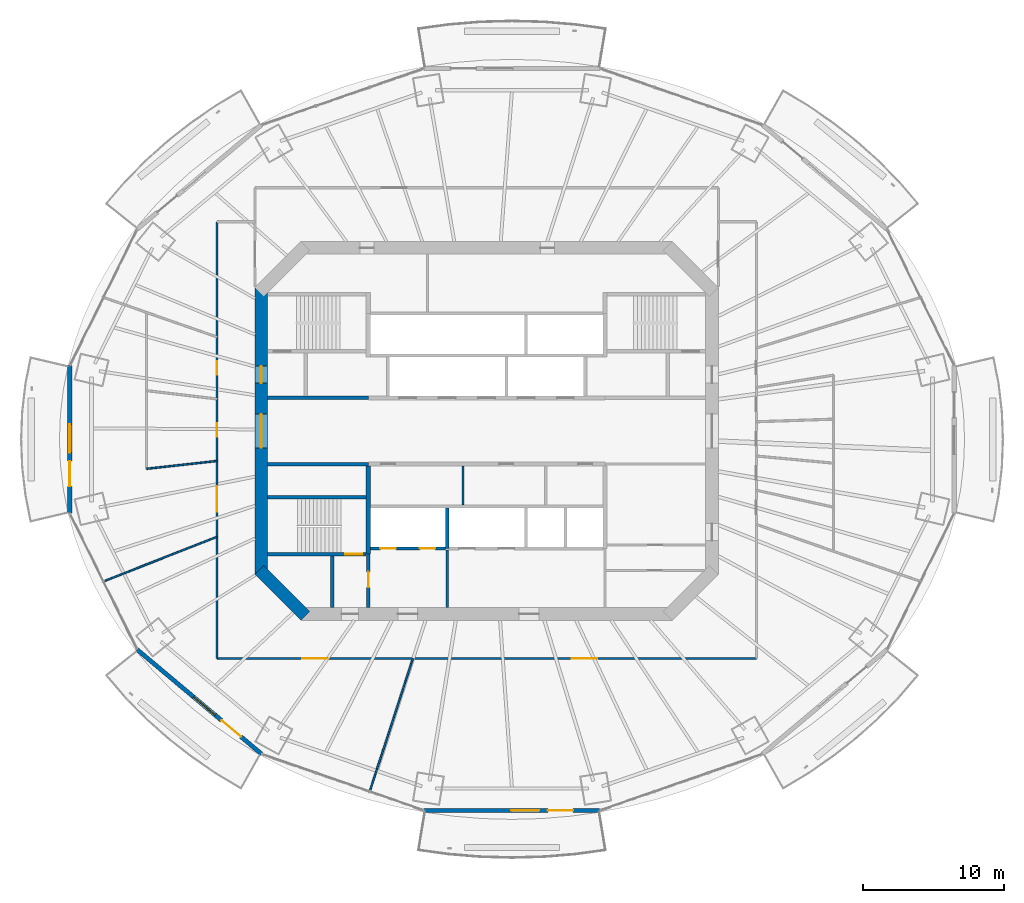
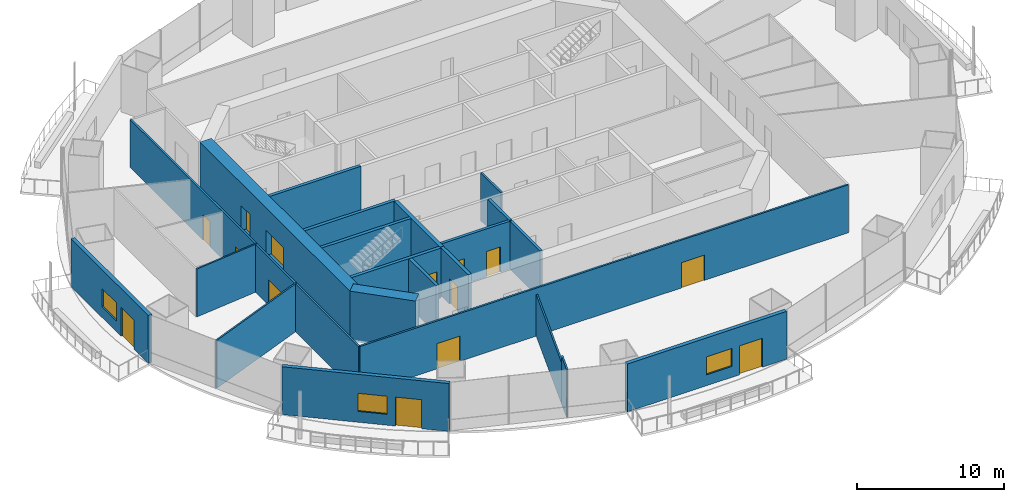
# One storey, part 11 of 20: 22 walls, 14 doors, 3 windows, 17 openings.
"""IFC4 building model written with IfcOpenShell, lengths in metres."""

from ifc_helpers import new_model, si_unit, direction, frame, frame_2d, origin, place, context, subcontext, project, spatial, rectangle, extrude, material, layer, layer_set, type_object, element, fill, save


model = new_model("IFC4")

# Units and contexts
model_context = context("Model", 3, precision=1e-05, world=origin(), true_north=direction((0.0, 1.0)))
body_context = subcontext(model_context, "Body", "Model", "MODEL_VIEW")
ifc_project = project(units=[si_unit("LENGTHUNIT", "METRE"), si_unit("AREAUNIT", "SQUARE_METRE"), si_unit("VOLUMEUNIT", "CUBIC_METRE"), si_unit("PLANEANGLEUNIT", "RADIAN"), si_unit("MASSUNIT", "GRAM", prefix="KILO")], contexts=[model_context])

# Site, building, storey
site_placement = place(None, origin())
site = spatial("IfcSite", under=ifc_project, at=site_placement, CompositionType="ELEMENT")
building_placement = place(site_placement, origin())
building = spatial("IfcBuilding", under=site, at=building_placement, Name="Marenthal Gate Tower", CompositionType="ELEMENT")
storey_placement = place(building_placement, frame((0.0, 0.0, 190.10009765625)))
storey = spatial("IfcBuildingStorey", under=building, at=storey_placement, Name="L41", CompositionType="ELEMENT", Elevation=190.10009765625)

# Wall, openings, doors
ifc_material_1 = material(Name="Concrete 60 MPa", Category="concrete")
ifc_layer_1 = layer(ifc_material_1, 0.89990234375)
ifc_layer_set_1 = layer_set([ifc_layer_1], Name="Core shear wall 900")
wall_type_1 = type_object("IfcWallType", Name="Core shear wall 900", PredefinedType="SHEAR", material=ifc_layer_set_1)
wall_1_placement = place(storey_placement, frame((-16.0, 10.186279296875, -0.18017578125), z_axis=(0.0, 0.0, 1.0), x_axis=(0.0, -1.0, 0.0)))
wall_1 = element("IfcWall", 1, at=wall_1_placement, inside=storey, type_object=wall_type_1, Name="Core wall 06", PredefinedType="SHEAR", context=body_context, shape_type="SweptSolid", body=[
    extrude(rectangle(XDim=20.37255859375, YDim=0.89990234375, at=frame_2d((10.186279296875, 0.0))), origin(), (0.0, 0.0, 1.0), 4.150146484375),
])
opening_1_placement = place(wall_1_placement, frame((8.986328125, 0.0, 0.179931640625)))
opening_1 = element("IfcOpeningElement", 2, at=opening_1_placement, cuts=wall_1, Name="Opening D003.01", PredefinedType="OPENING", context=body_context, shape_type="SweptSolid", body=[
    extrude(rectangle(XDim=2.39990234375, YDim=2.10009765625, at=frame_2d((1.199951171875, 1.050048828125))), frame((0.0, 0.4599609375, 0.0), z_axis=(0.0, -1.0, 0.0), x_axis=(1.0, 0.0, 0.0)), (0.0, 0.0, 1.0), 0.919921875),
])
opening_2_placement = place(wall_1_placement, frame((5.58642578125, 0.0, 0.179931640625)))
opening_2 = element("IfcOpeningElement", 3, at=opening_2_placement, cuts=wall_1, Name="Opening D001.04", PredefinedType="OPENING", context=body_context, shape_type="SweptSolid", body=[
    extrude(rectangle(XDim=1.199951171875, YDim=2.10009765625, at=frame_2d((0.60009765625, 1.050048828125))), frame((0.0, 0.4599609375, 0.0), z_axis=(0.0, -1.0, 0.0), x_axis=(1.0, 0.0, 0.0)), (0.0, 0.0, 1.0), 0.919921875),
])
ifc_material_2 = material(Name="Steel fire door", Category="steel")
door_type_1 = type_object("IfcDoorType", Name="Double fire door FD 45 2400 x 2100", OperationType="DOUBLE_DOOR_SINGLE_SWING", PredefinedType="DOOR", material=ifc_material_2)
door_1_placement = place(opening_1_placement, origin())
door_1 = element("IfcDoor", 4, at=door_1_placement, inside=storey, type_object=door_type_1, Name="Door D003.01", OperationType="DOUBLE_DOOR_SINGLE_SWING", OverallHeight=2.10009765625, OverallWidth=2.39990234375, PredefinedType="DOOR", context=body_context, shape_type="SweptSolid", body=[
    extrude(rectangle(XDim=2.39990234375, YDim=2.10009765625, at=frame_2d((1.199951171875, 1.050048828125))), frame((0.0, 0.02490234375, 0.0), z_axis=(0.0, -1.0, 0.0), x_axis=(1.0, 0.0, 0.0)), (0.0, 0.0, 1.0), 0.050048828125),
])
fill(opening_1, door_1)
ifc_material_3 = material(Name="Steel fire door", Category="steel")
door_type_2 = type_object("IfcDoorType", Name="Fire door FD 90 1200 x 2100", OperationType="NOTDEFINED", PredefinedType="DOOR", material=ifc_material_3)
door_2_placement = place(opening_2_placement, origin())
door_2 = element("IfcDoor", 5, at=door_2_placement, inside=storey, type_object=door_type_2, Name="Door D001.04", OperationType="SINGLE_SWING_RIGHT", OverallHeight=2.10009765625, OverallWidth=1.199951171875, PredefinedType="DOOR", context=body_context, shape_type="SweptSolid", body=[
    extrude(rectangle(XDim=1.199951171875, YDim=2.10009765625, at=frame_2d((0.60009765625, 1.050048828125))), frame((0.0, 0.02490234375, 0.0), z_axis=(0.0, -1.0, 0.0), x_axis=(1.0, 0.0, 0.0)), (0.0, 0.0, 1.0), 0.050048828125),
])
fill(opening_2, door_2)

# Walls
wall_2_placement = place(storey_placement, frame((-16.1318359375, -9.8681640625, -0.18017578125), z_axis=(0.0, 0.0, 1.0), x_axis=(0.707106781187, -0.707106781187, 0.0)))
element("IfcWall", 6, at=wall_2_placement, inside=storey, type_object=wall_type_1, Name="Core wall 07", PredefinedType="SHEAR", context=body_context, shape_type="SweptSolid", body=[
    extrude(rectangle(XDim=4.615478515625, YDim=0.89990234375, at=frame_2d((2.3076171875, 0.0))), origin(), (0.0, 0.0, 1.0), 4.150146484375),
])
ifc_material_4 = material(Name="Gypsum board on steel studs", Category="steel")
ifc_layer_2 = layer(ifc_material_4, 0.199951171875)
ifc_layer_set_2 = layer_set([ifc_layer_2], Name="Fire lobby wall 200")
wall_type_2 = type_object("IfcWallType", Name="Fire lobby wall 200", PredefinedType="PARTITIONING", material=ifc_layer_set_2)
wall_3_placement = place(storey_placement, frame((-2.800048828125, -12.550048828125, 0.0), z_axis=(0.0, 0.0, 1.0), x_axis=(0.0, 1.0, 0.0)))
element("IfcWall", 7, at=wall_3_placement, inside=storey, type_object=wall_type_2, Name="Fire wall 36", PredefinedType="PARTITIONING", context=body_context, shape_type="SweptSolid", body=[
    extrude(rectangle(XDim=4.090087890625, YDim=0.199951171875, at=frame_2d((2.044921875, 0.0))), origin(), (0.0, 0.0, 1.0), 3.969970703125),
])
ifc_material_5 = material(Name="Concrete 50 MPa", Category="concrete")
ifc_layer_3 = layer(ifc_material_5, 0.300048828125)
ifc_layer_set_3 = layer_set([ifc_layer_3], Name="Hoistway shear wall 300")
wall_type_3 = type_object("IfcWallType", Name="Hoistway shear wall 300", PredefinedType="SHEAR", material=ifc_layer_set_3)
wall_4_placement = place(storey_placement, frame((-8.39990234375, -8.75, -0.18017578125), z_axis=(0.0, 0.0, 1.0), x_axis=(0.0, 1.0, 0.0)))
element("IfcWall", 8, at=wall_4_placement, inside=storey, type_object=wall_type_3, Name="Hoistway wall 31", PredefinedType="SHEAR", context=body_context, shape_type="SweptSolid", body=[
    extrude(rectangle(XDim=6.25, YDim=0.300048828125, at=frame_2d((3.125, 0.0))), origin(), (0.0, 0.0, 1.0), 4.150146484375),
])

# Wall, openings, doors
ifc_material_6 = material(Name="Concrete 40 MPa", Category="concrete")
ifc_layer_4 = layer(ifc_material_6, 0.219970703125)
ifc_layer_set_4 = layer_set([ifc_layer_4], Name="Hoistway wall 220")
wall_type_4 = type_object("IfcWallType", Name="Hoistway wall 220", PredefinedType="STANDARD", material=ifc_layer_set_4)
wall_5_placement = place(storey_placement, frame((-8.25, -8.35009765625, 0.0), z_axis=(0.0, 0.0, 1.0), x_axis=(1.0, 0.0, 0.0)))
wall_5 = element("IfcWall", 9, at=wall_5_placement, inside=storey, type_object=wall_type_4, Name="Hoistway wall 11", PredefinedType="STANDARD", context=body_context, shape_type="SweptSolid", body=[
    extrude(rectangle(XDim=5.340087890625, YDim=0.219970703125, at=frame_2d((2.669921875, 0.0))), origin(), (0.0, 0.0, 1.0), 3.969970703125),
])
opening_3_placement = place(wall_5_placement, frame((0.699951171875, 0.0, 0.0)))
opening_3 = element("IfcOpeningElement", 10, at=opening_3_placement, cuts=wall_5, Name="Opening LD-LF1", PredefinedType="OPENING", context=body_context, shape_type="SweptSolid", body=[
    extrude(rectangle(XDim=1.10009765625, YDim=2.10009765625, at=frame_2d((0.550048828125, 1.050048828125))), frame((0.0, 0.1201171875, 0.0), z_axis=(0.0, -1.0, 0.0), x_axis=(1.0, 0.0, 0.0)), (0.0, 0.0, 1.0), 0.239990234375),
])
opening_4_placement = place(wall_5_placement, frame((3.5, 0.0, 0.0)))
opening_4 = element("IfcOpeningElement", 11, at=opening_4_placement, cuts=wall_5, Name="Opening LD-LF2", PredefinedType="OPENING", context=body_context, shape_type="SweptSolid", body=[
    extrude(rectangle(XDim=1.10009765625, YDim=2.10009765625, at=frame_2d((0.550048828125, 1.050048828125))), frame((0.0, 0.1201171875, 0.0), z_axis=(0.0, -1.0, 0.0), x_axis=(1.0, 0.0, 0.0)), (0.0, 0.0, 1.0), 0.239990234375),
])
ifc_material_7 = material(Name="Stainless steel sliding door", Category="steel")
door_type_3 = type_object("IfcDoorType", Name="Lift landing door FD 90 1100 x 2100", OperationType="DOUBLE_DOOR_SLIDING", PredefinedType="DOOR", material=ifc_material_7)
door_3_placement = place(opening_3_placement, origin())
door_3 = element("IfcDoor", 12, at=door_3_placement, inside=storey, type_object=door_type_3, Name="Lift landing door LF1", OperationType="DOUBLE_DOOR_SLIDING", OverallHeight=2.10009765625, OverallWidth=1.10009765625, PredefinedType="DOOR", context=body_context, shape_type="SweptSolid", body=[
    extrude(rectangle(XDim=1.10009765625, YDim=2.10009765625, at=frame_2d((0.550048828125, 1.050048828125))), frame((0.0, 0.02490234375, 0.0), z_axis=(0.0, -1.0, 0.0), x_axis=(1.0, 0.0, 0.0)), (0.0, 0.0, 1.0), 0.050048828125),
])
fill(opening_3, door_3)
door_4_placement = place(opening_4_placement, origin())
door_4 = element("IfcDoor", 13, at=door_4_placement, inside=storey, type_object=door_type_3, Name="Lift landing door LF2", OperationType="DOUBLE_DOOR_SLIDING", OverallHeight=2.10009765625, OverallWidth=1.10009765625, PredefinedType="DOOR", context=body_context, shape_type="SweptSolid", body=[
    extrude(rectangle(XDim=1.10009765625, YDim=2.10009765625, at=frame_2d((0.550048828125, 1.050048828125))), frame((0.0, 0.02490234375, 0.0), z_axis=(0.0, -1.0, 0.0), x_axis=(1.0, 0.0, 0.0)), (0.0, 0.0, 1.0), 0.050048828125),
])
fill(opening_4, door_4)

# Walls
wall_6_placement = place(storey_placement, frame((-2.800048828125, -8.35009765625, 0.0), z_axis=(0.0, 0.0, 1.0), x_axis=(0.0, 1.0, 0.0)))
element("IfcWall", 14, at=wall_6_placement, inside=storey, type_object=wall_type_4, Name="Hoistway wall 37", PredefinedType="STANDARD", context=body_context, shape_type="SweptSolid", body=[
    extrude(rectangle(XDim=2.89013671875, YDim=0.219970703125, at=frame_2d((1.445068359375, 0.0))), origin(), (0.0, 0.0, 1.0), 3.969970703125),
])
ifc_material_8 = material(Name="Gypsum board on steel studs", Category="steel")
ifc_layer_5 = layer(ifc_material_8, 0.1201171875)
ifc_layer_set_5 = layer_set([ifc_layer_5], Name="Partition 120")
wall_type_5 = type_object("IfcWallType", Name="Partition 120", PredefinedType="PARTITIONING", material=ifc_layer_set_5)
wall_7_placement = place(storey_placement, frame((-24.14697265625, -2.6865234375, 0.0), z_axis=(0.0, 0.0, 1.0), x_axis=(0.993868921716, 0.110564761322, 0.0)))
element("IfcWall", 15, at=wall_7_placement, inside=storey, type_object=wall_type_5, Name="Partition wall 50", PredefinedType="PARTITIONING", context=body_context, shape_type="SweptSolid", body=[
    extrude(rectangle(XDim=5.02783203125, YDim=0.1201171875, at=frame_2d((2.513916015625, 0.0))), origin(), (0.0, 0.0, 1.0), 3.969970703125),
])
wall_8_placement = place(storey_placement, frame((-19.14990234375, -7.517822265625, 0.0), z_axis=(0.0, 0.0, 1.0), x_axis=(-0.930851190322, -0.365398496816, 0.0)))
element("IfcWall", 16, at=wall_8_placement, inside=storey, type_object=wall_type_5, Name="Partition wall 54", PredefinedType="PARTITIONING", context=body_context, shape_type="SweptSolid", body=[
    extrude(rectangle(XDim=8.658447265625, YDim=0.1201171875, at=frame_2d((4.3291015625, 0.0))), origin(), (0.0, 0.0, 1.0), 3.969970703125),
])
wall_9_placement = place(storey_placement, frame((-5.236572265625, -16.14990234375, 0.0), z_axis=(0.0, 0.0, 1.0), x_axis=(-0.308416643719, -0.951251372602, 0.0)))
element("IfcWall", 17, at=wall_9_placement, inside=storey, type_object=wall_type_5, Name="Partition wall 59", PredefinedType="PARTITIONING", context=body_context, shape_type="SweptSolid", body=[
    extrude(rectangle(XDim=8.272216796875, YDim=0.1201171875, at=frame_2d((4.13623046875, 0.0))), origin(), (0.0, 0.0, 1.0), 3.433837890625),
])
wall_10_placement = place(storey_placement, frame((-7.787841796875, -24.018798828125, 0.0), z_axis=(0.0, 0.0, 1.0), x_axis=(-0.308397263442, -0.951257655896, 0.0)))
element("IfcWall", 18, at=wall_10_placement, inside=storey, type_object=wall_type_5, Name="Partition wall 71", PredefinedType="PARTITIONING", context=body_context, shape_type="SweptSolid", body=[
    extrude(rectangle(XDim=1.667236328125, YDim=0.1201171875, at=frame_2d((0.83349609375, 0.0))), origin(), (0.0, 0.0, 1.0), 3.969970703125),
])
ifc_material_9 = material(Name="Gypsum board on steel studs", Category="steel")
ifc_layer_6 = layer(ifc_material_9, 0.14990234375)
ifc_layer_set_6 = layer_set([ifc_layer_6], Name="Partition 150")
wall_type_6 = type_object("IfcWallType", Name="Partition 150", PredefinedType="PARTITIONING", material=ifc_layer_set_6)
wall_11_placement = place(storey_placement, frame((-1.679931640625, -5.239990234375, 0.0), z_axis=(0.0, 0.0, 1.0), x_axis=(0.0, 1.0, 0.0)))
element("IfcWall", 19, at=wall_11_placement, inside=storey, type_object=wall_type_6, Name="Partition wall 38", PredefinedType="PARTITIONING", context=body_context, shape_type="SweptSolid", body=[
    extrude(rectangle(XDim=2.739990234375, YDim=0.14990234375, at=frame_2d((1.3701171875, 0.0))), origin(), (0.0, 0.0, 1.0), 3.969970703125),
])

# Wall, openings, doors
wall_12_placement = place(storey_placement, frame((-19.14990234375, -16.14990234375, 0.0), z_axis=(0.0, 0.0, 1.0), x_axis=(0.0, 1.0, 0.0)))
wall_12 = element("IfcWall", 20, at=wall_12_placement, inside=storey, type_object=wall_type_6, Name="Partition wall 53", PredefinedType="PARTITIONING", context=body_context, shape_type="SweptSolid", body=[
    extrude(rectangle(XDim=31.003662109375, YDim=0.14990234375, at=frame_2d((15.501953125, 0.0))), origin(), (0.0, 0.0, 1.0), 3.969970703125),
])
opening_5_placement = place(wall_12_placement, frame((20.14697265625, 0.0, 0.0)))
opening_5 = element("IfcOpeningElement", 21, at=opening_5_placement, cuts=wall_12, Name="Opening D016.01", PredefinedType="OPENING", context=body_context, shape_type="SweptSolid", body=[
    extrude(rectangle(XDim=0.949951171875, YDim=2.10009765625, at=frame_2d((0.47509765625, 1.050048828125))), frame((0.0, 0.0849609375, 0.0), z_axis=(0.0, -1.0, 0.0), x_axis=(1.0, 0.0, 0.0)), (0.0, 0.0, 1.0), 0.169921875),
])
opening_6_placement = place(wall_12_placement, frame((15.7451171875, 0.0, 0.0)))
opening_6 = element("IfcOpeningElement", 22, at=opening_6_placement, cuts=wall_12, Name="Opening D016.02", PredefinedType="OPENING", context=body_context, shape_type="SweptSolid", body=[
    extrude(rectangle(XDim=0.949951171875, YDim=2.10009765625, at=frame_2d((0.47509765625, 1.050048828125))), frame((0.0, 0.0849609375, 0.0), z_axis=(0.0, -1.0, 0.0), x_axis=(1.0, 0.0, 0.0)), (0.0, 0.0, 1.0), 0.169921875),
])
opening_7_placement = place(wall_12_placement, frame((10.425048828125, 0.0, 0.0)))
opening_7 = element("IfcOpeningElement", 23, at=opening_7_placement, cuts=wall_12, Name="Opening D014.02", PredefinedType="OPENING", context=body_context, shape_type="SweptSolid", body=[
    extrude(rectangle(XDim=1.800048828125, YDim=2.10009765625, at=frame_2d((0.89990234375, 1.050048828125))), frame((0.0, 0.0849609375, 0.0), z_axis=(0.0, -1.0, 0.0), x_axis=(1.0, 0.0, 0.0)), (0.0, 0.0, 1.0), 0.169921875),
])
ifc_material_10 = material(Name="Timber door", Category="wood")
door_type_4 = type_object("IfcDoorType", Name="Door 950 x 2100", OperationType="NOTDEFINED", PredefinedType="DOOR", material=ifc_material_10)
door_5_placement = place(opening_5_placement, origin())
door_5 = element("IfcDoor", 24, at=door_5_placement, inside=storey, type_object=door_type_4, Name="Door D016.01", OperationType="SINGLE_SWING_RIGHT", OverallHeight=2.10009765625, OverallWidth=0.949951171875, PredefinedType="DOOR", context=body_context, shape_type="SweptSolid", body=[
    extrude(rectangle(XDim=0.949951171875, YDim=2.10009765625, at=frame_2d((0.47509765625, 1.050048828125))), frame((0.0, 0.02490234375, 0.0), z_axis=(0.0, -1.0, 0.0), x_axis=(1.0, 0.0, 0.0)), (0.0, 0.0, 1.0), 0.050048828125),
])
fill(opening_5, door_5)
door_6_placement = place(opening_6_placement, origin())
door_6 = element("IfcDoor", 25, at=door_6_placement, inside=storey, type_object=door_type_4, Name="Door D016.02", OperationType="SINGLE_SWING_RIGHT", OverallHeight=2.10009765625, OverallWidth=0.949951171875, PredefinedType="DOOR", context=body_context, shape_type="SweptSolid", body=[
    extrude(rectangle(XDim=0.949951171875, YDim=2.10009765625, at=frame_2d((0.47509765625, 1.050048828125))), frame((0.0, 0.02490234375, 0.0), z_axis=(0.0, -1.0, 0.0), x_axis=(1.0, 0.0, 0.0)), (0.0, 0.0, 1.0), 0.050048828125),
])
fill(opening_6, door_6)
ifc_material_11 = material(Name="Timber door", Category="wood")
door_type_5 = type_object("IfcDoorType", Name="Double door 1800 x 2100", OperationType="DOUBLE_DOOR_SINGLE_SWING", PredefinedType="DOOR", material=ifc_material_11)
door_7_placement = place(opening_7_placement, origin())
door_7 = element("IfcDoor", 26, at=door_7_placement, inside=storey, type_object=door_type_5, Name="Door D014.02", OperationType="DOUBLE_DOOR_SINGLE_SWING", OverallHeight=2.10009765625, OverallWidth=1.800048828125, PredefinedType="DOOR", context=body_context, shape_type="SweptSolid", body=[
    extrude(rectangle(XDim=1.800048828125, YDim=2.10009765625, at=frame_2d((0.89990234375, 1.050048828125))), frame((0.0, 0.02490234375, 0.0), z_axis=(0.0, -1.0, 0.0), x_axis=(1.0, 0.0, 0.0)), (0.0, 0.0, 1.0), 0.050048828125),
])
fill(opening_7, door_7)

wall_13_placement = place(storey_placement, frame((19.14990234375, -16.14990234375, 0.0), z_axis=(0.0, 0.0, 1.0), x_axis=(-1.0, 0.0, 0.0)))
wall_13 = element("IfcWall", 27, at=wall_13_placement, inside=storey, type_object=wall_type_6, Name="Partition wall 62", PredefinedType="PARTITIONING", context=body_context, shape_type="SweptSolid", body=[
    extrude(rectangle(XDim=38.2998046875, YDim=0.14990234375, at=frame_2d((19.14990234375, 0.0))), origin(), (0.0, 0.0, 1.0), 3.969970703125),
])
opening_8_placement = place(wall_13_placement, frame((30.443115234375, 0.0, 0.0)))
opening_8 = element("IfcOpeningElement", 28, at=opening_8_placement, cuts=wall_13, Name="Opening D014.03", PredefinedType="OPENING", context=body_context, shape_type="SweptSolid", body=[
    extrude(rectangle(XDim=1.800048828125, YDim=2.10009765625, at=frame_2d((0.89990234375, 1.050048828125))), frame((0.0, 0.0849609375, 0.0), z_axis=(0.0, -1.0, 0.0), x_axis=(1.0, 0.0, 0.0)), (0.0, 0.0, 1.0), 0.169921875),
])
opening_9_placement = place(wall_13_placement, frame((11.29296875, 0.0, 0.0)))
opening_9 = element("IfcOpeningElement", 29, at=opening_9_placement, cuts=wall_13, Name="Opening D014.04", PredefinedType="OPENING", context=body_context, shape_type="SweptSolid", body=[
    extrude(rectangle(XDim=1.800048828125, YDim=2.10009765625, at=frame_2d((0.89990234375, 1.050048828125))), frame((0.0, 0.0849609375, 0.0), z_axis=(0.0, -1.0, 0.0), x_axis=(1.0, 0.0, 0.0)), (0.0, 0.0, 1.0), 0.169921875),
])
door_8_placement = place(opening_8_placement, origin())
door_8 = element("IfcDoor", 30, at=door_8_placement, inside=storey, type_object=door_type_5, Name="Door D014.03", OperationType="DOUBLE_DOOR_SINGLE_SWING", OverallHeight=2.10009765625, OverallWidth=1.800048828125, PredefinedType="DOOR", context=body_context, shape_type="SweptSolid", body=[
    extrude(rectangle(XDim=1.800048828125, YDim=2.10009765625, at=frame_2d((0.89990234375, 1.050048828125))), frame((0.0, 0.02490234375, 0.0), z_axis=(0.0, -1.0, 0.0), x_axis=(1.0, 0.0, 0.0)), (0.0, 0.0, 1.0), 0.050048828125),
])
fill(opening_8, door_8)
door_9_placement = place(opening_9_placement, origin())
door_9 = element("IfcDoor", 31, at=door_9_placement, inside=storey, type_object=door_type_5, Name="Door D014.04", OperationType="DOUBLE_DOOR_SINGLE_SWING", OverallHeight=2.10009765625, OverallWidth=1.800048828125, PredefinedType="DOOR", context=body_context, shape_type="SweptSolid", body=[
    extrude(rectangle(XDim=1.800048828125, YDim=2.10009765625, at=frame_2d((0.89990234375, 1.050048828125))), frame((0.0, 0.02490234375, 0.0), z_axis=(0.0, -1.0, 0.0), x_axis=(1.0, 0.0, 0.0)), (0.0, 0.0, 1.0), 0.050048828125),
])
fill(opening_9, door_9)

# Walls
ifc_material_12 = material(Name="Concrete 40 MPa", Category="concrete")
ifc_layer_7 = layer(ifc_material_12, 0.25)
ifc_layer_set_7 = layer_set([ifc_layer_7], Name="Stair enclosure wall 250")
wall_type_7 = type_object("IfcWallType", Name="Stair enclosure wall 250", PredefinedType="STANDARD", material=ifc_layer_set_7)
for number, where, z_axis, x_axis, name in (
    (32, (-15.550048828125, -2.35009765625, 0.0), (0.0, 0.0, 1.0), (1.0, 0.0, 0.0), "Stair wall 16"),
    (33, (-15.550048828125, 2.35009765625, 0.0), (0.0, 0.0, 1.0), (1.0, 0.0, 0.0), "Stair wall 19"),
):
    element("IfcWall", number, at=place(storey_placement, frame(where, z_axis=z_axis, x_axis=x_axis)), inside=storey, type_object=wall_type_7, Name=name, PredefinedType="STANDARD", context=body_context, shape_type="SweptSolid", body=[
        extrude(rectangle(XDim=7.150146484375, YDim=0.25, at=frame_2d((3.5751953125, 0.0))), origin(), (0.0, 0.0, 1.0), 3.969970703125),
    ])
wall_14_placement = place(storey_placement, frame((-10.949951171875, -12.550048828125, 0.0), z_axis=(0.0, 0.0, 1.0), x_axis=(0.0, 1.0, 0.0)))
element("IfcWall", 34, at=wall_14_placement, inside=storey, type_object=wall_type_7, Name="Stair wall 29", PredefinedType="STANDARD", context=body_context, shape_type="SweptSolid", body=[
    extrude(rectangle(XDim=3.675048828125, YDim=0.25, at=frame_2d((1.83740234375, 0.0))), origin(), (0.0, 0.0, 1.0), 3.969970703125),
])

# Wall, opening, door
wall_15_placement = place(storey_placement, frame((-8.39990234375, -12.550048828125, 0.0), z_axis=(0.0, 0.0, 1.0), x_axis=(0.0, 1.0, 0.0)))
wall_15 = element("IfcWall", 35, at=wall_15_placement, inside=storey, type_object=wall_type_7, Name="Stair wall 30", PredefinedType="STANDARD", context=body_context, shape_type="SweptSolid", body=[
    extrude(rectangle(XDim=3.800048828125, YDim=0.25, at=frame_2d((1.89990234375, 0.0))), origin(), (0.0, 0.0, 1.0), 3.969970703125),
])
opening_10_placement = place(wall_15_placement, frame((1.449951171875, 0.0, 0.0)))
opening_10 = element("IfcOpeningElement", 36, at=opening_10_placement, cuts=wall_15, Name="Opening D002.01", PredefinedType="OPENING", context=body_context, shape_type="SweptSolid", body=[
    extrude(rectangle(XDim=1.10009765625, YDim=2.10009765625, at=frame_2d((0.550048828125, 1.050048828125))), frame((0.0, 0.135009765625, 0.0), z_axis=(0.0, -1.0, 0.0), x_axis=(1.0, 0.0, 0.0)), (0.0, 0.0, 1.0), 0.27001953125),
])
ifc_material_13 = material(Name="Steel fire door", Category="steel")
door_type_6 = type_object("IfcDoorType", Name="Fire door FD 90 1100 x 2100", OperationType="NOTDEFINED", PredefinedType="DOOR", material=ifc_material_13)
door_10_placement = place(opening_10_placement, origin())
door_10 = element("IfcDoor", 37, at=door_10_placement, inside=storey, type_object=door_type_6, Name="Door D002.01", OperationType="SINGLE_SWING_RIGHT", OverallHeight=2.10009765625, OverallWidth=1.10009765625, PredefinedType="DOOR", context=body_context, shape_type="SweptSolid", body=[
    extrude(rectangle(XDim=1.10009765625, YDim=2.10009765625, at=frame_2d((0.550048828125, 1.050048828125))), frame((0.0, 0.02490234375, 0.0), z_axis=(0.0, -1.0, 0.0), x_axis=(1.0, 0.0, 0.0)), (0.0, 0.0, 1.0), 0.050048828125),
])
fill(opening_10, door_10)

ifc_material_14 = material(Name="Concrete 50 MPa", Category="concrete")
ifc_layer_8 = layer(ifc_material_14, 0.25)
ifc_layer_set_8 = layer_set([ifc_layer_8], Name="Stair shear wall 250")
wall_type_8 = type_object("IfcWallType", Name="Stair shear wall 250", PredefinedType="SHEAR", material=ifc_layer_set_8)
wall_16_placement = place(storey_placement, frame((-15.550048828125, -8.75, -0.18017578125), z_axis=(0.0, 0.0, 1.0), x_axis=(1.0, 0.0, 0.0)))
wall_16 = element("IfcWall", 38, at=wall_16_placement, inside=storey, type_object=wall_type_8, Name="Stair wall 10", PredefinedType="SHEAR", context=body_context, shape_type="SweptSolid", body=[
    extrude(rectangle(XDim=7.0, YDim=0.25, at=frame_2d((3.5, 0.0))), origin(), (0.0, 0.0, 1.0), 4.150146484375),
])
opening_11_placement = place(wall_16_placement, frame((5.5, 0.0, 0.179931640625)))
opening_11 = element("IfcOpeningElement", 39, at=opening_11_placement, cuts=wall_16, Name="Opening D001.03", PredefinedType="OPENING", context=body_context, shape_type="SweptSolid", body=[
    extrude(rectangle(XDim=1.199951171875, YDim=2.10009765625, at=frame_2d((0.60009765625, 1.050048828125))), frame((0.0, 0.135009765625, 0.0), z_axis=(0.0, -1.0, 0.0), x_axis=(1.0, 0.0, 0.0)), (0.0, 0.0, 1.0), 0.27001953125),
])
door_11_placement = place(opening_11_placement, origin())
door_11 = element("IfcDoor", 40, at=door_11_placement, inside=storey, type_object=door_type_2, Name="Door D001.03", OperationType="SINGLE_SWING_RIGHT", OverallHeight=2.10009765625, OverallWidth=1.199951171875, PredefinedType="DOOR", context=body_context, shape_type="SweptSolid", body=[
    extrude(rectangle(XDim=1.199951171875, YDim=2.10009765625, at=frame_2d((0.60009765625, 1.050048828125))), frame((0.0, 0.02490234375, 0.0), z_axis=(0.0, -1.0, 0.0), x_axis=(1.0, 0.0, 0.0)), (0.0, 0.0, 1.0), 0.050048828125),
])
fill(opening_11, door_11)

# Wall
wall_17_placement = place(storey_placement, frame((-15.550048828125, -4.699951171875, -0.18017578125), z_axis=(0.0, 0.0, 1.0), x_axis=(1.0, 0.0, 0.0)))
element("IfcWall", 41, at=wall_17_placement, inside=storey, type_object=wall_type_8, Name="Stair wall 15", PredefinedType="SHEAR", context=body_context, shape_type="SweptSolid", body=[
    extrude(rectangle(XDim=7.0, YDim=0.25, at=frame_2d((3.5, 0.0))), origin(), (0.0, 0.0, 1.0), 4.150146484375),
])

# Wall, openings, door, window
ifc_material_15 = material(Name="Terracotta cladding on insulated concrete-block backing", Category="masonry")
ifc_layer_9 = layer(ifc_material_15, 0.300048828125)
ifc_layer_set_9 = layer_set([ifc_layer_9], Name="Terracotta facade wall 300")
wall_type_9 = type_object("IfcWallType", Name="Terracotta facade wall 300", PredefinedType="SOLIDWALL", material=ifc_layer_set_9)
wall_18_placement = place(storey_placement, frame((-29.599853515625, 4.640380859375, 0.0), z_axis=(0.0, 0.0, 1.0), x_axis=(0.0, -1.0, 0.0)))
wall_18 = element("IfcWall", 42, at=wall_18_placement, inside=storey, type_object=wall_type_9, Name="Terracotta facade wall L41 bay 8", PredefinedType="SOLIDWALL", context=body_context, shape_type="SweptSolid", body=[
    extrude(rectangle(XDim=10.480712890625, YDim=0.300048828125, at=frame_2d((5.240234375, 0.0))), origin(), (0.0, 0.0, 1.0), 3.969970703125),
])
opening_12_placement = place(wall_18_placement, frame((6.780517578125, 0.0, 0.0)))
opening_12 = element("IfcOpeningElement", 43, at=opening_12_placement, cuts=wall_18, Name="Opening BD-L41-08", PredefinedType="OPENING", context=body_context, shape_type="SweptSolid", body=[
    extrude(rectangle(XDim=1.800048828125, YDim=2.39990234375, at=frame_2d((0.89990234375, 1.199951171875))), frame((0.0, 0.16015625, 0.0), z_axis=(0.0, -1.0, 0.0), x_axis=(1.0, 0.0, 0.0)), (0.0, 0.0, 1.0), 0.320068359375),
])
opening_13_placement = place(wall_18_placement, frame((4.1806640625, 0.0, 0.89990234375)))
opening_13 = element("IfcOpeningElement", 44, at=opening_13_placement, cuts=wall_18, Name="Opening WN2-L41-08", PredefinedType="OPENING", context=body_context, shape_type="SweptSolid", body=[
    extrude(rectangle(XDim=2.0, YDim=1.5, at=frame_2d((1.0, 0.75))), frame((0.0, 0.16015625, 0.0), z_axis=(0.0, -1.0, 0.0), x_axis=(1.0, 0.0, 0.0)), (0.0, 0.0, 1.0), 0.320068359375),
])
ifc_material_16 = material(Name="Aluminium and glass", Category="aluminium")
door_type_7 = type_object("IfcDoorType", Name="Balcony door 1800x2400", OperationType="DOUBLE_DOOR_SINGLE_SWING", PredefinedType="DOOR", material=ifc_material_16)
door_12_placement = place(opening_12_placement, origin())
door_12 = element("IfcDoor", 45, at=door_12_placement, inside=storey, type_object=door_type_7, Name="Balcony door L41 bay 8", OperationType="SINGLE_SWING_LEFT", OverallHeight=2.39990234375, OverallWidth=1.800048828125, PredefinedType="DOOR", context=body_context, shape_type="SweptSolid", body=[
    extrude(rectangle(XDim=1.800048828125, YDim=2.39990234375, at=frame_2d((0.89990234375, 1.199951171875))), frame((0.0, 0.02490234375, 0.0), z_axis=(0.0, -1.0, 0.0), x_axis=(1.0, 0.0, 0.0)), (0.0, 0.0, 1.0), 0.050048828125),
])
fill(opening_12, door_12)
ifc_material_17 = material(Name="Aluminium and glass", Category="aluminium")
window_type = type_object("IfcWindowType", Name="Window 2000x1500", PartitioningType="DOUBLE_PANEL_VERTICAL", PredefinedType="WINDOW", material=ifc_material_17)
window_1_placement = place(opening_13_placement, origin())
window_1 = element("IfcWindow", 46, at=window_1_placement, inside=storey, type_object=window_type, Name="Window L41 bay 8", OverallHeight=1.5, OverallWidth=2.0, PartitioningType="SINGLE_PANEL", PredefinedType="WINDOW", context=body_context, shape_type="SweptSolid", body=[
    extrude(rectangle(XDim=2.0, YDim=1.5, at=frame_2d((1.0, 0.75))), frame((0.0, 0.030029296875, 0.0), z_axis=(0.0, -1.0, 0.0), x_axis=(1.0, 0.0, 0.0)), (0.0, 0.0, 1.0), 0.06005859375),
])
fill(opening_13, window_1)

wall_19_placement = place(storey_placement, frame((-24.819580078125, -15.523193359375, 0.0), z_axis=(0.0, 0.0, 1.0), x_axis=(0.766082233378, -0.642742570321, 0.0)))
wall_19 = element("IfcWall", 47, at=wall_19_placement, inside=storey, type_object=wall_type_9, Name="Terracotta facade wall L41 bay 10", PredefinedType="SOLIDWALL", context=body_context, shape_type="SweptSolid", body=[
    extrude(rectangle(XDim=11.530029296875, YDim=0.300048828125, at=frame_2d((5.76513671875, 0.0))), origin(), (0.0, 0.0, 1.0), 3.969970703125),
])
opening_14_placement = place(wall_19_placement, frame((7.830078125, 0.0, 0.0)))
opening_14 = element("IfcOpeningElement", 48, at=opening_14_placement, cuts=wall_19, Name="Opening BD-L41-10", PredefinedType="OPENING", context=body_context, shape_type="SweptSolid", body=[
    extrude(rectangle(XDim=1.800048828125, YDim=2.39990234375, at=frame_2d((0.89990234375, 1.199951171875))), frame((0.0, 0.16015625, 0.0), z_axis=(0.0, -1.0, 0.0), x_axis=(1.0, 0.0, 0.0)), (0.0, 0.0, 1.0), 0.320068359375),
])
opening_15_placement = place(wall_19_placement, frame((5.22998046875, 0.0, 0.89990234375)))
opening_15 = element("IfcOpeningElement", 49, at=opening_15_placement, cuts=wall_19, Name="Opening WN2-L41-10", PredefinedType="OPENING", context=body_context, shape_type="SweptSolid", body=[
    extrude(rectangle(XDim=2.0, YDim=1.5, at=frame_2d((1.0, 0.75))), frame((0.0, 0.16015625, 0.0), z_axis=(0.0, -1.0, 0.0), x_axis=(1.0, 0.0, 0.0)), (0.0, 0.0, 1.0), 0.320068359375),
])
door_13_placement = place(opening_14_placement, origin())
door_13 = element("IfcDoor", 50, at=door_13_placement, inside=storey, type_object=door_type_7, Name="Balcony door L41 bay 10", OperationType="SINGLE_SWING_LEFT", OverallHeight=2.39990234375, OverallWidth=1.800048828125, PredefinedType="DOOR", context=body_context, shape_type="SweptSolid", body=[
    extrude(rectangle(XDim=1.800048828125, YDim=2.39990234375, at=frame_2d((0.89990234375, 1.199951171875))), frame((0.0, 0.02490234375, 0.0), z_axis=(0.0, -1.0, 0.0), x_axis=(1.0, 0.0, 0.0)), (0.0, 0.0, 1.0), 0.050048828125),
])
fill(opening_14, door_13)
window_2_placement = place(opening_15_placement, origin())
window_2 = element("IfcWindow", 51, at=window_2_placement, inside=storey, type_object=window_type, Name="Window L41 bay 10", OverallHeight=1.5, OverallWidth=2.0, PartitioningType="SINGLE_PANEL", PredefinedType="WINDOW", context=body_context, shape_type="SweptSolid", body=[
    extrude(rectangle(XDim=2.0, YDim=1.5, at=frame_2d((1.0, 0.75))), frame((0.0, 0.030029296875, 0.0), z_axis=(0.0, -1.0, 0.0), x_axis=(1.0, 0.0, 0.0)), (0.0, 0.0, 1.0), 0.06005859375),
])
fill(opening_15, window_2)

wall_20_placement = place(storey_placement, frame((-4.44580078125, -26.94482421875, 0.0), z_axis=(0.0, 0.0, 1.0), x_axis=(1.0, 0.0, 0.0)))
wall_20 = element("IfcWall", 52, at=wall_20_placement, inside=storey, type_object=wall_type_9, Name="Terracotta facade wall L41 bay 12", PredefinedType="SOLIDWALL", context=body_context, shape_type="SweptSolid", body=[
    extrude(rectangle(XDim=12.49169921875, YDim=0.300048828125, at=frame_2d((6.245849609375, 0.0))), origin(), (0.0, 0.0, 1.0), 3.969970703125),
])
opening_16_placement = place(wall_20_placement, frame((8.79150390625, 0.0, 0.0)))
opening_16 = element("IfcOpeningElement", 53, at=opening_16_placement, cuts=wall_20, Name="Opening BD-L41-12", PredefinedType="OPENING", context=body_context, shape_type="SweptSolid", body=[
    extrude(rectangle(XDim=1.800048828125, YDim=2.39990234375, at=frame_2d((0.89990234375, 1.199951171875))), frame((0.0, 0.16015625, 0.0), z_axis=(0.0, -1.0, 0.0), x_axis=(1.0, 0.0, 0.0)), (0.0, 0.0, 1.0), 0.320068359375),
])
opening_17_placement = place(wall_20_placement, frame((6.191650390625, 0.0, 0.89990234375)))
opening_17 = element("IfcOpeningElement", 54, at=opening_17_placement, cuts=wall_20, Name="Opening WN2-L41-12", PredefinedType="OPENING", context=body_context, shape_type="SweptSolid", body=[
    extrude(rectangle(XDim=2.0, YDim=1.5, at=frame_2d((1.0, 0.75))), frame((0.0, 0.16015625, 0.0), z_axis=(0.0, -1.0, 0.0), x_axis=(1.0, 0.0, 0.0)), (0.0, 0.0, 1.0), 0.320068359375),
])
door_14_placement = place(opening_16_placement, origin())
door_14 = element("IfcDoor", 55, at=door_14_placement, inside=storey, type_object=door_type_7, Name="Balcony door L41 bay 12", OperationType="SINGLE_SWING_LEFT", OverallHeight=2.39990234375, OverallWidth=1.800048828125, PredefinedType="DOOR", context=body_context, shape_type="SweptSolid", body=[
    extrude(rectangle(XDim=1.800048828125, YDim=2.39990234375, at=frame_2d((0.89990234375, 1.199951171875))), frame((0.0, 0.02490234375, 0.0), z_axis=(0.0, -1.0, 0.0), x_axis=(1.0, 0.0, 0.0)), (0.0, 0.0, 1.0), 0.050048828125),
])
fill(opening_16, door_14)
window_3_placement = place(opening_17_placement, origin())
window_3 = element("IfcWindow", 56, at=window_3_placement, inside=storey, type_object=window_type, Name="Window L41 bay 12", OverallHeight=1.5, OverallWidth=2.0, PartitioningType="SINGLE_PANEL", PredefinedType="WINDOW", context=body_context, shape_type="SweptSolid", body=[
    extrude(rectangle(XDim=2.0, YDim=1.5, at=frame_2d((1.0, 0.75))), frame((0.0, 0.030029296875, 0.0), z_axis=(0.0, -1.0, 0.0), x_axis=(1.0, 0.0, 0.0)), (0.0, 0.0, 1.0), 0.06005859375),
])
fill(opening_17, window_3)

save(model, "model.ifc")
